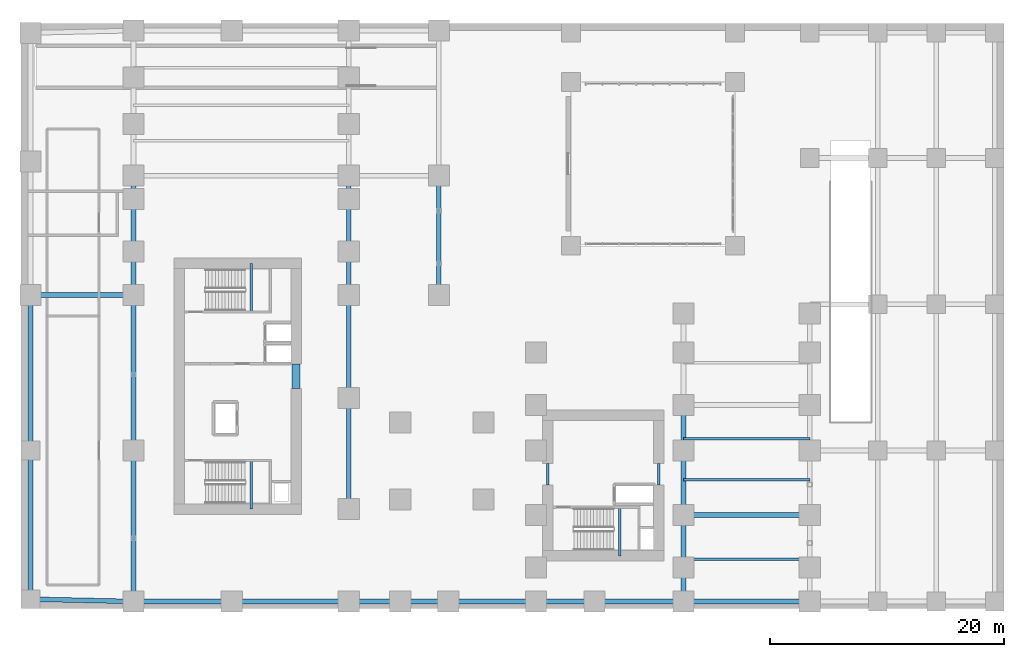
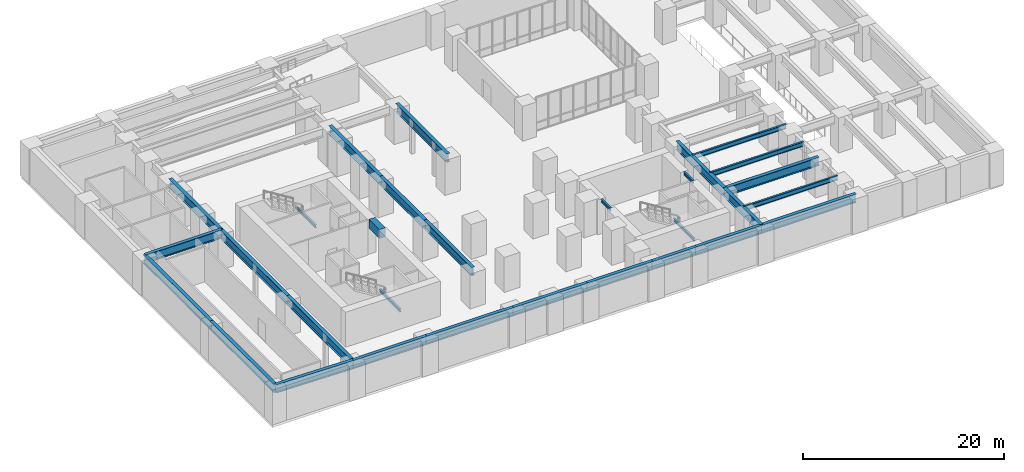
# One storey, part 6 of 18: 30 beams.
"""IFC4 building model written with IfcOpenShell, lengths in metres."""

from ifc_helpers import new_model, si_unit, direction, frame, origin, origin_2d, place, context, subcontext, project, spatial, rectangle, i_section, extrude, source, transform, mapped, material, material_profile, profile_set, type_object, element, save


model = new_model("IFC4")

# Units and contexts
model_context = context("Model", 3, precision=1e-05, world=origin(), true_north=direction((0.0, 1.0)))
body_context = subcontext(model_context, "Body", "Model", "MODEL_VIEW")
ifc_project = project(units=[si_unit("LENGTHUNIT", "METRE"), si_unit("AREAUNIT", "SQUARE_METRE"), si_unit("VOLUMEUNIT", "CUBIC_METRE"), si_unit("PLANEANGLEUNIT", "RADIAN"), si_unit("MASSUNIT", "GRAM", prefix="KILO")], contexts=[model_context])

# Site, building, storey
site_placement = place(None, origin())
site = spatial("IfcSite", under=ifc_project, at=site_placement, CompositionType="ELEMENT")
building_placement = place(site_placement, origin())
building = spatial("IfcBuilding", under=site, at=building_placement, Name="Kharzan Plaza Tower", CompositionType="ELEMENT")
storey_placement = place(building_placement, frame((0.0, 0.0, -4.5)))
storey = spatial("IfcBuildingStorey", under=building, at=storey_placement, Name="B01", CompositionType="ELEMENT", Elevation=-4.5)

# Beams
ifc_material_1 = material(Name="Concrete C60/75", Category="concrete")
ifc_material_profile_1 = material_profile(ifc_material_1, rectangle(XDim=0.699951171875, YDim=1.10009765625, at=origin_2d()), Name="RC-CB1100x700")
ifc_profile_set_1 = profile_set([ifc_material_profile_1], Name="Concrete C60/75")
beam_type_1 = type_object("IfcBeamType", Name="BM-RCCB1100", PredefinedType="LINTEL", material=ifc_profile_set_1)
shared_shape_1 = source(origin(), body_context, "Body", "SweptSolid", [
    extrude(rectangle(XDim=0.699951171875, YDim=1.10009765625, at=origin_2d()), origin(), (0.0, 0.0, 1.0), 2.059814453125),
])
beam_1_placement = place(storey_placement, frame((14.5, 18.820068359375, 3.68994140625), z_axis=(0.0, 1.0, 0.0), x_axis=(-1.0, 0.0, 0.0)))
element("IfcBeam", 1, at=beam_1_placement, inside=storey, type_object=beam_type_1, Name="B01 CORE-A RC coupling beam CB1", PredefinedType="LINTEL", context=body_context, shape_type="MappedRepresentation", body=[
    mapped(shared_shape_1, transform((0.0, 0.0, 0.0), x_axis=(1.0, 0.0, 0.0), y_axis=(0.0, 1.0, 0.0), z_axis=(0.0, 0.0, 1.0))),
])
ifc_material_2 = material(Name="Steel S355", Category="steel")
ifc_material_profile_2 = material_profile(ifc_material_2, i_section(OverallWidth=0.402099609375, OverallDepth=1.02099609375, WebThickness=0.02099609375, FlangeThickness=0.037109375, at=origin_2d()), Name="W1000x412")
ifc_profile_set_2 = profile_set([ifc_material_profile_2], Name="Steel S355")
beam_type_2 = type_object("IfcBeamType", Name="BM-PG1000A", PredefinedType="BEAM", material=ifc_profile_set_2)
shared_shape_2 = source(origin(), body_context, "Body", "SweptSolid", [
    extrude(i_section(OverallWidth=0.402099609375, OverallDepth=1.02099609375, WebThickness=0.02099609375, FlangeThickness=0.037109375, at=origin_2d()), origin(), (0.0, 0.0, 1.0), 5.0),
])
beam_2_placement = place(storey_placement, frame((35.0, 0.60009765625, 3.7294921875), z_axis=(1.0, 0.0, 0.0), x_axis=(0.0, 1.0, 0.0)))
element("IfcBeam", 2, at=beam_2_placement, inside=storey, type_object=beam_type_2, Name="B01 Podium Primary Girder PG-6A", PredefinedType="BEAM", context=body_context, shape_type="MappedRepresentation", body=[
    mapped(shared_shape_2, transform((0.0, 0.0, 0.0), x_axis=(1.0, 0.0, 0.0), y_axis=(0.0, 1.0, 0.0), z_axis=(0.0, 0.0, 1.0))),
])
shared_shape_3 = source(origin(), body_context, "Body", "SweptSolid", [
    extrude(i_section(OverallWidth=0.402099609375, OverallDepth=1.02099609375, WebThickness=0.02099609375, FlangeThickness=0.037109375, at=origin_2d()), origin(), (0.0, 0.0, 1.0), 12.89990234375),
])
beam_3_placement = place(storey_placement, frame((0.60009765625, 0.60009765625, 3.7294921875), z_axis=(0.0, 1.0, 0.0), x_axis=(-1.0, 0.0, 0.0)))
element("IfcBeam", 3, at=beam_3_placement, inside=storey, type_object=beam_type_2, Name="B01 Podium Primary Girder PG-14", PredefinedType="BEAM", context=body_context, shape_type="MappedRepresentation", body=[
    mapped(shared_shape_3, transform((0.0, 0.0, 0.0), x_axis=(1.0, 0.0, 0.0), y_axis=(0.0, 1.0, 0.0), z_axis=(0.0, 0.0, 1.0))),
])
shared_shape_4 = source(origin(), body_context, "Body", "SweptSolid", [
    extrude(i_section(OverallWidth=0.402099609375, OverallDepth=1.02099609375, WebThickness=0.02099609375, FlangeThickness=0.037109375, at=origin_2d()), origin(), (0.0, 0.0, 1.0), 8.80224609375),
])
beam_4_placement = place(storey_placement, frame((-8.199951171875, 0.800048828125, 3.7294921875), z_axis=(0.9997419644, -0.022715735021, 0.0), x_axis=(0.022715735021, 0.9997419644, 0.0)))
element("IfcBeam", 4, at=beam_4_placement, inside=storey, type_object=beam_type_2, Name="B01 Podium Primary Girder PG-1", PredefinedType="BEAM", context=body_context, shape_type="MappedRepresentation", body=[
    mapped(shared_shape_4, transform((0.0, 0.0, 0.0), x_axis=(1.0, 0.0, 0.0), y_axis=(0.0, 1.0, 0.0), z_axis=(0.0, 0.0, 1.0))),
])
shared_shape_5 = source(origin(), body_context, "Body", "SweptSolid", [
    extrude(i_section(OverallWidth=0.402099609375, OverallDepth=1.02099609375, WebThickness=0.02099609375, FlangeThickness=0.037109375, at=origin_2d()), origin(), (0.0, 0.0, 1.0), 10.0),
])
beam_5_placement = place(storey_placement, frame((9.0, 0.60009765625, 3.7294921875), z_axis=(1.0, 0.0, 0.0), x_axis=(0.0, 1.0, 0.0)))
element("IfcBeam", 5, at=beam_5_placement, inside=storey, type_object=beam_type_2, Name="B01 Podium Primary Girder PG-3", PredefinedType="BEAM", context=body_context, shape_type="MappedRepresentation", body=[
    mapped(shared_shape_5, transform((0.0, 0.0, 0.0), x_axis=(1.0, 0.0, 0.0), y_axis=(0.0, 1.0, 0.0), z_axis=(0.0, 0.0, 1.0))),
])
shared_shape_6 = source(origin(), body_context, "Body", "SweptSolid", [
    extrude(i_section(OverallWidth=0.402099609375, OverallDepth=1.02099609375, WebThickness=0.02099609375, FlangeThickness=0.037109375, at=origin_2d()), origin(), (0.0, 0.0, 1.0), 13.300048828125),
])
for number, where, z_axis, x_axis, name in (
    (6, (0.60009765625, 13.5, 3.7294921875), (0.0, 1.0, 0.0), (-1.0, 0.0, 0.0), "B01 Podium Primary Girder PG-15"),
    (7, (-8.199951171875, 13.5, 3.7294921875), (0.0, 1.0, 0.0), (-1.0, 0.0, 0.0), "B01 Podium Primary Girder PG-31"),
):
    element("IfcBeam", number, at=place(storey_placement, frame(where, z_axis=z_axis, x_axis=x_axis)), inside=storey, type_object=beam_type_2, Name=name, PredefinedType="BEAM", context=body_context, shape_type="MappedRepresentation", body=[
        mapped(shared_shape_6, transform((0.0, 0.0, 0.0), x_axis=(1.0, 0.0, 0.0), y_axis=(0.0, 1.0, 0.0), z_axis=(0.0, 0.0, 1.0))),
    ])
shared_shape_7 = source(origin(), body_context, "Body", "SweptSolid", [
    extrude(i_section(OverallWidth=0.402099609375, OverallDepth=1.02099609375, WebThickness=0.02099609375, FlangeThickness=0.037109375, at=origin_2d()), origin(), (0.0, 0.0, 1.0), 10.199951171875),
])
for number, where, z_axis, x_axis, name in (
    (8, (0.60009765625, 26.800048828125, 3.7294921875), (0.0, 1.0, 0.0), (-1.0, 0.0, 0.0), "B01 Podium Primary Girder PG-16"),
    (9, (19.0, 26.800048828125, 3.7294921875), (0.0, 1.0, 0.0), (-1.0, 0.0, 0.0), "B01 Podium Primary Girder PG-20"),
    (10, (26.699951171875, 26.800048828125, 3.7294921875), (0.0, 1.0, 0.0), (-1.0, 0.0, 0.0), "B01 Podium Primary Girder PG-32"),
):
    element("IfcBeam", number, at=place(storey_placement, frame(where, z_axis=z_axis, x_axis=x_axis)), inside=storey, type_object=beam_type_2, Name=name, PredefinedType="BEAM", context=body_context, shape_type="MappedRepresentation", body=[
        mapped(shared_shape_7, transform((0.0, 0.0, 0.0), x_axis=(1.0, 0.0, 0.0), y_axis=(0.0, 1.0, 0.0), z_axis=(0.0, 0.0, 1.0))),
    ])
shared_shape_8 = source(origin(), body_context, "Body", "SweptSolid", [
    extrude(i_section(OverallWidth=0.402099609375, OverallDepth=1.02099609375, WebThickness=0.02099609375, FlangeThickness=0.037109375, at=origin_2d()), origin(), (0.0, 0.0, 1.0), 9.5),
])
beam_6_placement = place(storey_placement, frame((19.0, 8.5, 3.7294921875), z_axis=(0.0, 1.0, 0.0), x_axis=(-1.0, 0.0, 0.0)))
element("IfcBeam", 11, at=beam_6_placement, inside=storey, type_object=beam_type_2, Name="B01 Podium Primary Girder PG-18", PredefinedType="BEAM", context=body_context, shape_type="MappedRepresentation", body=[
    mapped(shared_shape_8, transform((0.0, 0.0, 0.0), x_axis=(1.0, 0.0, 0.0), y_axis=(0.0, 1.0, 0.0), z_axis=(0.0, 0.0, 1.0))),
])
shared_shape_9 = source(origin(), body_context, "Body", "SweptSolid", [
    extrude(i_section(OverallWidth=0.402099609375, OverallDepth=1.02099609375, WebThickness=0.02099609375, FlangeThickness=0.037109375, at=origin_2d()), origin(), (0.0, 0.0, 1.0), 8.800048828125),
])
for number, where, z_axis, x_axis, name in (
    (12, (19.0, 18.0, 3.7294921875), (0.0, 1.0, 0.0), (-1.0, 0.0, 0.0), "B01 Podium Primary Girder PG-19"),
    (13, (-8.199951171875, 26.800048828125, 3.7294921875), (1.0, 0.0, 0.0), (0.0, 1.0, 0.0), "B01 Podium Primary Girder PG-8S"),
):
    element("IfcBeam", number, at=place(storey_placement, frame(where, z_axis=z_axis, x_axis=x_axis)), inside=storey, type_object=beam_type_2, Name=name, PredefinedType="BEAM", context=body_context, shape_type="MappedRepresentation", body=[
        mapped(shared_shape_9, transform((0.0, 0.0, 0.0), x_axis=(1.0, 0.0, 0.0), y_axis=(0.0, 1.0, 0.0), z_axis=(0.0, 0.0, 1.0))),
    ])
shared_shape_10 = source(origin(), body_context, "Body", "SweptSolid", [
    extrude(i_section(OverallWidth=0.402099609375, OverallDepth=1.02099609375, WebThickness=0.02099609375, FlangeThickness=0.037109375, at=origin_2d()), origin(), (0.0, 0.0, 1.0), 8.39990234375),
])
beam_7_placement = place(storey_placement, frame((0.60009765625, 0.60009765625, 3.7294921875), z_axis=(1.0, 0.0, 0.0), x_axis=(0.0, 1.0, 0.0)))
element("IfcBeam", 14, at=beam_7_placement, inside=storey, type_object=beam_type_2, Name="B01 Podium Primary Girder PG-2", PredefinedType="BEAM", context=body_context, shape_type="MappedRepresentation", body=[
    mapped(shared_shape_10, transform((0.0, 0.0, 0.0), x_axis=(1.0, 0.0, 0.0), y_axis=(0.0, 1.0, 0.0), z_axis=(0.0, 0.0, 1.0))),
])
shared_shape_11 = source(origin(), body_context, "Body", "SweptSolid", [
    extrude(i_section(OverallWidth=0.402099609375, OverallDepth=1.02099609375, WebThickness=0.02099609375, FlangeThickness=0.037109375, at=origin_2d()), origin(), (0.0, 0.0, 1.0), 7.39990234375),
])
beam_8_placement = place(storey_placement, frame((47.60009765625, 0.60009765625, 3.7294921875), z_axis=(0.0, 1.0, 0.0), x_axis=(-1.0, 0.0, 0.0)))
element("IfcBeam", 15, at=beam_8_placement, inside=storey, type_object=beam_type_2, Name="B01 Podium Primary Girder PG-22", PredefinedType="BEAM", context=body_context, shape_type="MappedRepresentation", body=[
    mapped(shared_shape_11, transform((0.0, 0.0, 0.0), x_axis=(1.0, 0.0, 0.0), y_axis=(0.0, 1.0, 0.0), z_axis=(0.0, 0.0, 1.0))),
])
shared_shape_12 = source(origin(), body_context, "Body", "SweptSolid", [
    extrude(i_section(OverallWidth=0.402099609375, OverallDepth=1.02099609375, WebThickness=0.02099609375, FlangeThickness=0.037109375, at=origin_2d()), origin(), (0.0, 0.0, 1.0), 9.39990234375),
])
beam_9_placement = place(storey_placement, frame((47.60009765625, 8.0, 3.7294921875), z_axis=(0.0, 1.0, 0.0), x_axis=(-1.0, 0.0, 0.0)))
element("IfcBeam", 16, at=beam_9_placement, inside=storey, type_object=beam_type_2, Name="B01 Podium Primary Girder PG-23", PredefinedType="BEAM", context=body_context, shape_type="MappedRepresentation", body=[
    mapped(shared_shape_12, transform((0.0, 0.0, 0.0), x_axis=(1.0, 0.0, 0.0), y_axis=(0.0, 1.0, 0.0), z_axis=(0.0, 0.0, 1.0))),
])
shared_shape_13 = source(origin(), body_context, "Body", "SweptSolid", [
    extrude(i_section(OverallWidth=0.402099609375, OverallDepth=1.02099609375, WebThickness=0.02099609375, FlangeThickness=0.037109375, at=origin_2d()), origin(), (0.0, 0.0, 1.0), 10.7998046875),
])
for number, where, z_axis, x_axis, name in (
    (17, (47.60009765625, 8.0, 3.7294921875), (1.0, 0.0, 0.0), (0.0, 1.0, 0.0), "B01 Podium Primary Girder PG-28"),
    (18, (47.60009765625, 0.60009765625, 3.7294921875), (1.0, 0.0, 0.0), (0.0, 1.0, 0.0), "B01 Podium Primary Girder PG-7"),
):
    element("IfcBeam", number, at=place(storey_placement, frame(where, z_axis=z_axis, x_axis=x_axis)), inside=storey, type_object=beam_type_2, Name=name, PredefinedType="BEAM", context=body_context, shape_type="MappedRepresentation", body=[
        mapped(shared_shape_13, transform((0.0, 0.0, 0.0), x_axis=(1.0, 0.0, 0.0), y_axis=(0.0, 1.0, 0.0), z_axis=(0.0, 0.0, 1.0))),
    ])
shared_shape_14 = source(origin(), body_context, "Body", "SweptSolid", [
    extrude(i_section(OverallWidth=0.402099609375, OverallDepth=1.02099609375, WebThickness=0.02099609375, FlangeThickness=0.037109375, at=origin_2d()), origin(), (0.0, 0.0, 1.0), 12.699951171875),
])
beam_10_placement = place(storey_placement, frame((-8.199951171875, 0.800048828125, 3.7294921875), z_axis=(0.0, 1.0, 0.0), x_axis=(-1.0, 0.0, 0.0)))
element("IfcBeam", 19, at=beam_10_placement, inside=storey, type_object=beam_type_2, Name="B01 Podium Primary Girder PG-30", PredefinedType="BEAM", context=body_context, shape_type="MappedRepresentation", body=[
    mapped(shared_shape_14, transform((0.0, 0.0, 0.0), x_axis=(1.0, 0.0, 0.0), y_axis=(0.0, 1.0, 0.0), z_axis=(0.0, 0.0, 1.0))),
])
shared_shape_15 = source(origin(), body_context, "Body", "SweptSolid", [
    extrude(i_section(OverallWidth=0.402099609375, OverallDepth=1.02099609375, WebThickness=0.02099609375, FlangeThickness=0.037109375, at=origin_2d()), origin(), (0.0, 0.0, 1.0), 8.5),
])
beam_11_placement = place(storey_placement, frame((19.0, 0.60009765625, 3.7294921875), z_axis=(1.0, 0.0, 0.0), x_axis=(0.0, 1.0, 0.0)))
element("IfcBeam", 20, at=beam_11_placement, inside=storey, type_object=beam_type_2, Name="B01 Podium Primary Girder PG-4", PredefinedType="BEAM", context=body_context, shape_type="MappedRepresentation", body=[
    mapped(shared_shape_15, transform((0.0, 0.0, 0.0), x_axis=(1.0, 0.0, 0.0), y_axis=(0.0, 1.0, 0.0), z_axis=(0.0, 0.0, 1.0))),
])
shared_shape_16 = source(origin(), body_context, "Body", "SweptSolid", [
    extrude(i_section(OverallWidth=0.402099609375, OverallDepth=1.02099609375, WebThickness=0.02099609375, FlangeThickness=0.037109375, at=origin_2d()), origin(), (0.0, 0.0, 1.0), 7.5),
])
beam_12_placement = place(storey_placement, frame((27.5, 0.60009765625, 3.7294921875), z_axis=(1.0, 0.0, 0.0), x_axis=(0.0, 1.0, 0.0)))
element("IfcBeam", 21, at=beam_12_placement, inside=storey, type_object=beam_type_2, Name="B01 Podium Primary Girder PG-5", PredefinedType="BEAM", context=body_context, shape_type="MappedRepresentation", body=[
    mapped(shared_shape_16, transform((0.0, 0.0, 0.0), x_axis=(1.0, 0.0, 0.0), y_axis=(0.0, 1.0, 0.0), z_axis=(0.0, 0.0, 1.0))),
])
shared_shape_17 = source(origin(), body_context, "Body", "SweptSolid", [
    extrude(i_section(OverallWidth=0.402099609375, OverallDepth=1.02099609375, WebThickness=0.02099609375, FlangeThickness=0.037109375, at=origin_2d()), origin(), (0.0, 0.0, 1.0), 7.60009765625),
])
beam_13_placement = place(storey_placement, frame((40.0, 0.60009765625, 3.7294921875), z_axis=(1.0, 0.0, 0.0), x_axis=(0.0, 1.0, 0.0)))
element("IfcBeam", 22, at=beam_13_placement, inside=storey, type_object=beam_type_2, Name="B01 Podium Primary Girder PG-6B", PredefinedType="BEAM", context=body_context, shape_type="MappedRepresentation", body=[
    mapped(shared_shape_17, transform((0.0, 0.0, 0.0), x_axis=(1.0, 0.0, 0.0), y_axis=(0.0, 1.0, 0.0), z_axis=(0.0, 0.0, 1.0))),
])
ifc_material_profile_3 = material_profile(ifc_material_2, i_section(OverallWidth=0.205078125, OverallDepth=0.35400390625, WebThickness=0.009521484375, FlangeThickness=0.016845703125, at=origin_2d()), Name="W360x79")
ifc_profile_set_3 = profile_set([ifc_material_profile_3], Name="Steel S355")
beam_type_3 = type_object("IfcBeamType", Name="BM-LNT360", PredefinedType="LINTEL", material=ifc_profile_set_3)
shared_shape_18 = source(origin(), body_context, "Body", "SweptSolid", [
    extrude(i_section(OverallWidth=0.205078125, OverallDepth=0.35400390625, WebThickness=0.009521484375, FlangeThickness=0.016845703125, at=origin_2d()), origin(), (0.0, 0.0, 1.0), 1.849853515625),
])
for number, where, z_axis, x_axis, name in (
    (23, (45.5, 10.550048828125, 4.06298828125), (0.0, 1.0, 0.0), (-1.0, 0.0, 0.0), "B01 CORE-B coupling lintel LN1-WE"),
    (24, (36.0, 10.550048828125, 4.06298828125), (0.0, 1.0, 0.0), (-1.0, 0.0, 0.0), "B01 CORE-B coupling lintel LN1-WW"),
):
    element("IfcBeam", number, at=place(storey_placement, frame(where, z_axis=z_axis, x_axis=x_axis)), inside=storey, type_object=beam_type_3, Name=name, PredefinedType="LINTEL", context=body_context, shape_type="MappedRepresentation", body=[
        mapped(shared_shape_18, transform((0.0, 0.0, 0.0), x_axis=(1.0, 0.0, 0.0), y_axis=(0.0, 1.0, 0.0), z_axis=(0.0, 0.0, 1.0))),
    ])
shared_shape_19 = source(origin(), body_context, "Body", "SweptSolid", [
    extrude(i_section(OverallWidth=0.205078125, OverallDepth=0.35400390625, WebThickness=0.009521484375, FlangeThickness=0.016845703125, at=origin_2d()), origin(), (0.0, 0.0, 1.0), 4.155029296875),
])
for number, where, z_axis, x_axis, name in (
    (25, (10.64990234375, 8.5, 1.873046875), (0.0, 1.0, 0.0), (-1.0, 0.0, 0.0), "B01 Stair ST-1 Half-Landing Beam"),
    (26, (10.64990234375, 25.344970703125, 1.873046875), (0.0, 1.0, 0.0), (-1.0, 0.0, 0.0), "B01 Stair ST-2 Half-Landing Beam"),
    (27, (42.14990234375, 4.5, 1.873046875), (0.0, 1.0, 0.0), (-1.0, 0.0, 0.0), "B01 Stair ST-3 Half-Landing Beam"),
):
    element("IfcBeam", number, at=place(storey_placement, frame(where, z_axis=z_axis, x_axis=x_axis)), inside=storey, type_object=beam_type_3, Name=name, PredefinedType="LINTEL", context=body_context, shape_type="MappedRepresentation", body=[
        mapped(shared_shape_19, transform((0.0, 0.0, 0.0), x_axis=(1.0, 0.0, 0.0), y_axis=(0.0, 1.0, 0.0), z_axis=(0.0, 0.0, 1.0))),
    ])
ifc_material_profile_4 = material_profile(ifc_material_2, i_section(OverallWidth=0.214111328125, OverallDepth=0.549072265625, WebThickness=0.0146484375, FlangeThickness=0.023681640625, at=origin_2d()), Name="W530x138")
ifc_profile_set_4 = profile_set([ifc_material_profile_4], Name="Steel S355")
beam_type_4 = type_object("IfcBeamType", Name="BM-JST530A", PredefinedType="JOIST", material=ifc_profile_set_4)
shared_shape_20 = source(origin(), body_context, "Body", "SweptSolid", [
    extrude(i_section(OverallWidth=0.214111328125, OverallDepth=0.549072265625, WebThickness=0.0146484375, FlangeThickness=0.023681640625, at=origin_2d()), origin(), (0.0, 0.0, 1.0), 10.7998046875),
])
for number, where, z_axis, x_axis, name in (
    (28, (47.60009765625, 4.199951171875, 3.965576171875), (1.0, 0.0, 0.0), (0.0, 1.0, 0.0), "B01 East Podium Joist PJ-B1"),
    (29, (47.60009765625, 11.0, 3.965576171875), (1.0, 0.0, 0.0), (0.0, 1.0, 0.0), "B01 East Podium Joist PJ-B2"),
    (30, (47.60009765625, 14.5, 3.965576171875), (1.0, 0.0, 0.0), (0.0, 1.0, 0.0), "B01 East Podium Joist PJ-B3"),
):
    element("IfcBeam", number, at=place(storey_placement, frame(where, z_axis=z_axis, x_axis=x_axis)), inside=storey, type_object=beam_type_4, Name=name, PredefinedType="JOIST", context=body_context, shape_type="MappedRepresentation", body=[
        mapped(shared_shape_20, transform((0.0, 0.0, 0.0), x_axis=(1.0, 0.0, 0.0), y_axis=(0.0, 1.0, 0.0), z_axis=(0.0, 0.0, 1.0))),
    ])

save(model, "model.ifc")
